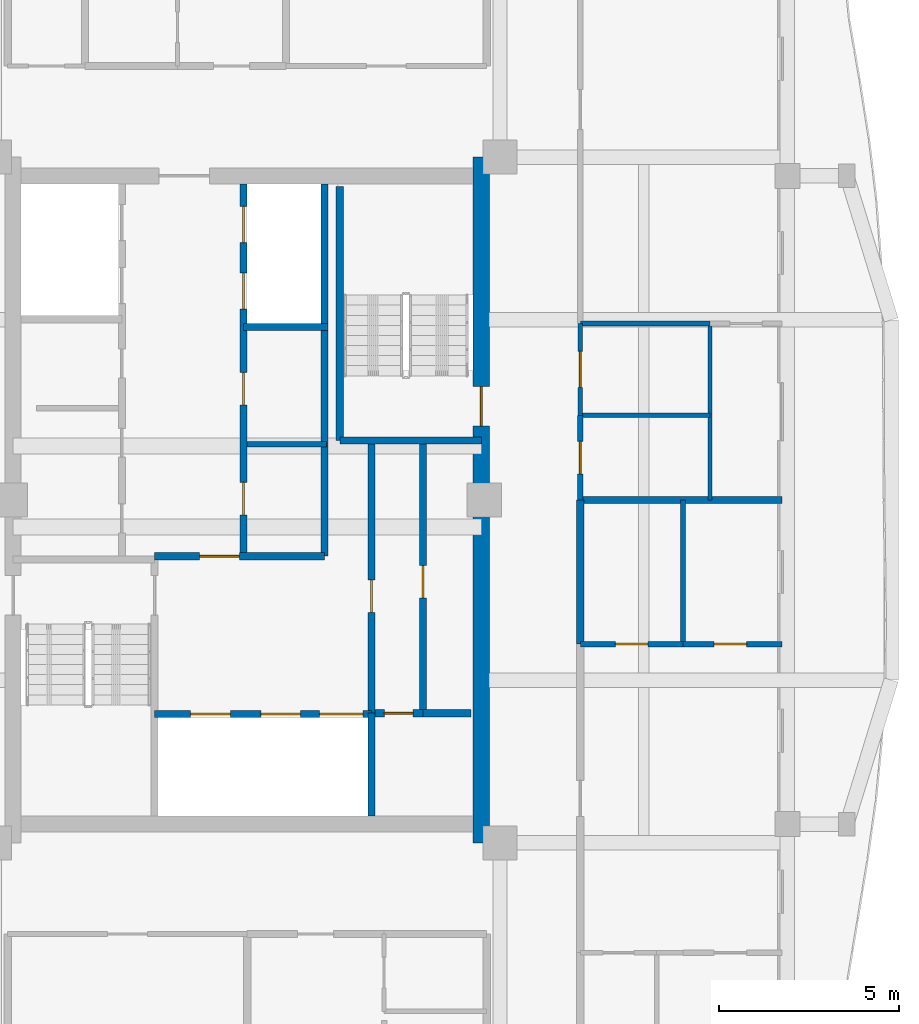
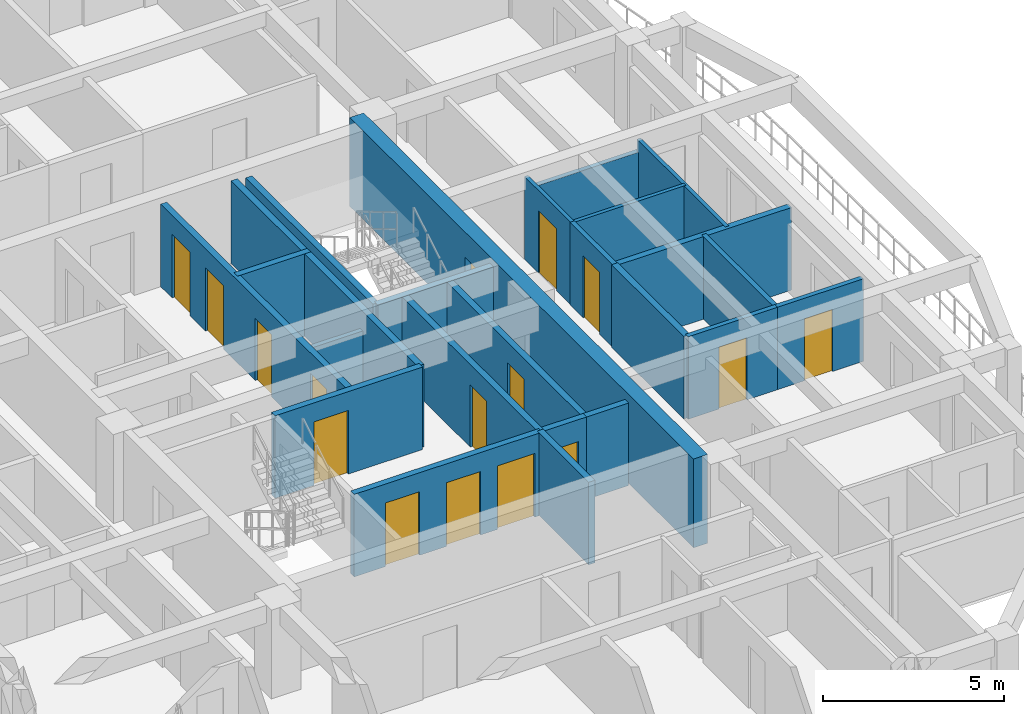
# One storey, part 4 of 12: 25 walls, 16 doors, 16 openings.
"""IFC4 building model written with IfcOpenShell, lengths in metres."""

from ifc_helpers import new_model, si_unit, direction, frame, frame_2d, origin, place, context, subcontext, project, spatial, rectangle, extrude, source, transform, mapped, material, layer, layer_set, type_object, element, fill, save


model = new_model("IFC4")

# Units and contexts
model_context = context("Model", 3, precision=1e-05, world=origin(), true_north=direction((0.0, 1.0)))
body_context = subcontext(model_context, "Body", "Model", "MODEL_VIEW")
ifc_project = project(units=[si_unit("LENGTHUNIT", "METRE"), si_unit("AREAUNIT", "SQUARE_METRE"), si_unit("VOLUMEUNIT", "CUBIC_METRE"), si_unit("PLANEANGLEUNIT", "RADIAN"), si_unit("MASSUNIT", "GRAM", prefix="KILO")], contexts=[model_context])

# Site, building, storey
site_placement = place(None, origin())
site = spatial("IfcSite", under=ifc_project, at=site_placement, CompositionType="ELEMENT")
building_placement = place(site_placement, origin())
building = spatial("IfcBuilding", under=site, at=building_placement, Name="Saelheon Loggia Tower", CompositionType="ELEMENT")
storey_placement = place(building_placement, frame((0.0, 0.0, 240.0)))
storey = spatial("IfcBuildingStorey", under=building, at=storey_placement, Name="L74", CompositionType="ELEMENT", Elevation=240.0)

# Wall, opening, door
ifc_material_1 = material(Name="Concrete C45/55", Category="concrete")
ifc_layer_1 = layer(ifc_material_1, 0.449951171875)
ifc_layer_set_1 = layer_set([ifc_layer_1], Name="Concrete C45/55")
wall_type_1 = type_object("IfcWallType", Name="Wall_CoreShear_450", PredefinedType="SHEAR", material=ifc_layer_set_1)
wall_1_placement = place(storey_placement, frame((44.5, 17.47998046875, 0.0), z_axis=(0.0, 0.0, 1.0), x_axis=(0.0, 1.0, 0.0)))
wall_1 = element("IfcWall", 1, at=wall_1_placement, inside=storey, type_object=wall_type_1, Name="L74 Core Shear Wall East", PredefinedType="SHEAR", context=body_context, shape_type="SweptSolid", body=[
    extrude(rectangle(XDim=19.0400390625, YDim=0.449951171875, at=frame_2d((9.52001953125, 0.0))), origin(), (0.0, 0.0, 1.0), 3.0),
])
opening_1_placement = place(wall_1_placement, frame((12.670166015625, 0.0, 0.0), z_axis=(0.0, 0.0, 1.0), x_axis=(-1.0, 0.0, 0.0)))
opening_1 = element("IfcOpeningElement", 2, at=opening_1_placement, cuts=wall_1, Name="Opening D-FD2", PredefinedType="OPENING", context=body_context, shape_type="SweptSolid", body=[
    extrude(rectangle(XDim=1.10009765625, YDim=2.14990234375, at=frame_2d((0.550048828125, 1.074951171875))), frame((0.0, 0.237060546875, 0.0), z_axis=(0.0, -1.0, 0.0), x_axis=(1.0, 0.0, 0.0)), (0.0, 0.0, 1.0), 0.473876953125),
])
ifc_material_2 = material(Name="Galvanised Steel Fire Door", Category="steel")
door_type_1 = type_object("IfcDoorType", Name="Door_Fire_FD60_1100", OperationType="NOTDEFINED", PredefinedType="DOOR", material=ifc_material_2)
shared_shape_1 = source(origin(), body_context, "Body", "SweptSolid", [
    extrude(rectangle(XDim=1.10009765625, YDim=2.14990234375, at=frame_2d((0.550048828125, 1.074951171875))), frame((0.0, 0.02490234375, 0.0), z_axis=(0.0, -1.0, 0.0), x_axis=(1.0, 0.0, 0.0)), (0.0, 0.0, 1.0), 0.050048828125),
])
door_1_placement = place(opening_1_placement, origin())
door_1 = element("IfcDoor", 3, at=door_1_placement, inside=storey, type_object=door_type_1, Name="L74 Stair ST2 Corridor Door", OperationType="SINGLE_SWING_RIGHT", OverallHeight=2.14990234375, OverallWidth=1.10009765625, PredefinedType="DOOR", context=body_context, shape_type="MappedRepresentation", body=[
    mapped(shared_shape_1, transform((0.0, 0.0, 0.0), scale=1.0)),
])
fill(opening_1, door_1)

# Walls
ifc_material_3 = material(Name="Lightweight Autoclaved Aerated Concrete Block and Acoustic Gypsum", Category="concrete")
ifc_layer_2 = layer(ifc_material_3, 0.14990234375)
ifc_layer_set_2 = layer_set([ifc_layer_2], Name="Lightweight Autoclaved Aerated Concrete Block and Acoustic Gypsum")
wall_type_2 = type_object("IfcWallType", Name="Wall_Part_150", PredefinedType="PARTITIONING", material=ifc_layer_set_2)
wall_2_placement = place(storey_placement, frame((38.0, 28.550048828125, 0.0), z_axis=(0.0, 0.0, 1.0), x_axis=(1.0, 0.0, 0.0)))
element("IfcWall", 4, at=wall_2_placement, inside=storey, type_object=wall_type_2, Name="L74 Freed Core Partition PM", PredefinedType="PARTITIONING", context=body_context, shape_type="SweptSolid", body=[
    extrude(rectangle(XDim=2.199951171875, YDim=0.14990234375, at=frame_2d((1.10009765625, 0.0))), origin(), (0.0, 0.0, 1.0), 2.139892578125),
])
wall_3_placement = place(storey_placement, frame((50.10009765625, 23.0, 0.0), z_axis=(0.0, 0.0, 1.0), x_axis=(0.0, 1.0, 0.0)))
element("IfcWall", 5, at=wall_3_placement, inside=storey, type_object=wall_type_2, Name="L74 E Partition V07", PredefinedType="PARTITIONING", context=body_context, shape_type="SweptSolid", body=[
    extrude(rectangle(XDim=4.0, YDim=0.14990234375, at=frame_2d((2.0, 0.0))), origin(), (0.0, 0.0, 1.0), 2.7900390625),
])

# Wall, opening, door
wall_4_placement = place(storey_placement, frame((47.25, 23.0, 0.0), z_axis=(0.0, 0.0, 1.0), x_axis=(1.0, 0.0, 0.0)))
wall_4 = element("IfcWall", 6, at=wall_4_placement, inside=storey, type_object=wall_type_2, Name="L74 E Partition U11", PredefinedType="PARTITIONING", context=body_context, shape_type="SweptSolid", body=[
    extrude(rectangle(XDim=2.85009765625, YDim=0.14990234375, at=frame_2d((1.425048828125, 0.0))), origin(), (0.0, 0.0, 1.0), 2.7900390625),
])
opening_2_placement = place(wall_4_placement, frame((0.97509765625, 0.0, 0.0)))
opening_2 = element("IfcOpeningElement", 7, at=opening_2_placement, cuts=wall_4, Name="Opening D-IN2", PredefinedType="OPENING", context=body_context, shape_type="SweptSolid", body=[
    extrude(rectangle(XDim=0.89990234375, YDim=2.10009765625, at=frame_2d((0.449951171875, 1.050048828125))), frame((0.0, 0.0869140625, 0.0), z_axis=(0.0, -1.0, 0.0), x_axis=(1.0, 0.0, 0.0)), (0.0, 0.0, 1.0), 0.173828125),
])
ifc_material_4 = material(Name="Engineered Oak Flush Door", Category="timber")
door_type_2 = type_object("IfcDoorType", Name="Door_Int_900", OperationType="NOTDEFINED", PredefinedType="DOOR", material=ifc_material_4)
shared_shape_2 = source(origin(), body_context, "Body", "SweptSolid", [
    extrude(rectangle(XDim=0.89990234375, YDim=2.10009765625, at=frame_2d((0.449951171875, 1.050048828125))), frame((0.0, 0.02490234375, 0.0), z_axis=(0.0, -1.0, 0.0), x_axis=(1.0, 0.0, 0.0)), (0.0, 0.0, 1.0), 0.050048828125),
])
door_2_placement = place(opening_2_placement, origin())
door_2 = element("IfcDoor", 8, at=door_2_placement, inside=storey, type_object=door_type_2, Name="Unit U05 Private Study Door", OperationType="SINGLE_SWING_LEFT", OverallHeight=2.10009765625, OverallWidth=0.89990234375, PredefinedType="DOOR", context=body_context, shape_type="MappedRepresentation", body=[
    mapped(shared_shape_2, transform((0.0, 0.0, 0.0), scale=1.0)),
])
fill(opening_2, door_2)

wall_5_placement = place(storey_placement, frame((50.10009765625, 23.0, 0.0), z_axis=(0.0, 0.0, 1.0), x_axis=(1.0, 0.0, 0.0)))
wall_5 = element("IfcWall", 9, at=wall_5_placement, inside=storey, type_object=wall_type_2, Name="L74 E Partition U12", PredefinedType="PARTITIONING", context=body_context, shape_type="SweptSolid", body=[
    extrude(rectangle(XDim=2.75, YDim=0.14990234375, at=frame_2d((1.375, 0.0))), origin(), (0.0, 0.0, 1.0), 2.7900390625),
])
opening_3_placement = place(wall_5_placement, frame((0.867919921875, 0.0, 0.0)))
opening_3 = element("IfcOpeningElement", 10, at=opening_3_placement, cuts=wall_5, Name="Opening D-IN2", PredefinedType="OPENING", context=body_context, shape_type="SweptSolid", body=[
    extrude(rectangle(XDim=0.89990234375, YDim=2.10009765625, at=frame_2d((0.449951171875, 1.050048828125))), frame((0.0, 0.0869140625, 0.0), z_axis=(0.0, -1.0, 0.0), x_axis=(1.0, 0.0, 0.0)), (0.0, 0.0, 1.0), 0.173828125),
])
door_3_placement = place(opening_3_placement, origin())
door_3 = element("IfcDoor", 11, at=door_3_placement, inside=storey, type_object=door_type_2, Name="Unit U05 Bedroom 1 Door", OperationType="SINGLE_SWING_RIGHT", OverallHeight=2.10009765625, OverallWidth=0.89990234375, PredefinedType="DOOR", context=body_context, shape_type="MappedRepresentation", body=[
    mapped(shared_shape_2, transform((0.0, 0.0, 0.0), scale=1.0)),
])
fill(opening_3, door_3)

# Wall
wall_6_placement = place(storey_placement, frame((47.25, 31.89990234375, 0.0), z_axis=(0.0, 0.0, 1.0), x_axis=(1.0, 0.0, 0.0)))
element("IfcWall", 12, at=wall_6_placement, inside=storey, type_object=wall_type_2, Name="L74 E Partition U15", PredefinedType="PARTITIONING", context=body_context, shape_type="SweptSolid", body=[
    extrude(rectangle(XDim=3.60009765625, YDim=0.14990234375, at=frame_2d((1.800048828125, 0.0))), origin(), (0.0, 0.0, 1.0), 2.389892578125),
])

# Wall, opening, door
wall_7_placement = place(storey_placement, frame((47.25, 27.0, 0.0), z_axis=(0.0, 0.0, 1.0), x_axis=(0.0, 1.0, 0.0)))
wall_7 = element("IfcWall", 13, at=wall_7_placement, inside=storey, type_object=wall_type_2, Name="L74 E Partition V18", PredefinedType="PARTITIONING", context=body_context, shape_type="SweptSolid", body=[
    extrude(rectangle(XDim=2.35009765625, YDim=0.14990234375, at=frame_2d((1.175048828125, 0.0))), origin(), (0.0, 0.0, 1.0), 2.7900390625),
])
opening_4_placement = place(wall_7_placement, frame((0.72509765625, 0.0, 0.0)))
opening_4 = element("IfcOpeningElement", 14, at=opening_4_placement, cuts=wall_7, Name="Opening D-IN2", PredefinedType="OPENING", context=body_context, shape_type="SweptSolid", body=[
    extrude(rectangle(XDim=0.89990234375, YDim=2.10009765625, at=frame_2d((0.449951171875, 1.050048828125))), frame((0.0, 0.0869140625, 0.0), z_axis=(0.0, -1.0, 0.0), x_axis=(1.0, 0.0, 0.0)), (0.0, 0.0, 1.0), 0.173828125),
])
door_4_placement = place(opening_4_placement, origin())
door_4 = element("IfcDoor", 15, at=door_4_placement, inside=storey, type_object=door_type_2, Name="L74 Community Pantry Door", OperationType="SINGLE_SWING_RIGHT", OverallHeight=2.10009765625, OverallWidth=0.89990234375, PredefinedType="DOOR", context=body_context, shape_type="MappedRepresentation", body=[
    mapped(shared_shape_2, transform((0.0, 0.0, 0.0), scale=1.0)),
])
fill(opening_4, door_4)

# Walls
ifc_material_5 = material(Name="Double Acoustic Stud and Fireboard Partition", Category="gypsum")
ifc_layer_3 = layer(ifc_material_5, 0.199951171875)
ifc_layer_set_3 = layer_set([ifc_layer_3], Name="Double Acoustic Stud and Fireboard Partition")
wall_type_3 = type_object("IfcWallType", Name="Wall_Party_200", PredefinedType="PARTITIONING", material=ifc_layer_set_3)
wall_8_placement = place(storey_placement, frame((47.25, 23.0, 0.0), z_axis=(0.0, 0.0, 1.0), x_axis=(0.0, 1.0, 0.0)))
element("IfcWall", 16, at=wall_8_placement, inside=storey, type_object=wall_type_3, Name="L74 E Partition V05", PredefinedType="PARTITIONING", context=body_context, shape_type="SweptSolid", body=[
    extrude(rectangle(XDim=4.0, YDim=0.199951171875, at=frame_2d((2.0, 0.0))), origin(), (0.0, 0.0, 1.0), 2.7900390625),
])
wall_9_placement = place(storey_placement, frame((47.25, 27.0, 0.0), z_axis=(0.0, 0.0, 1.0), x_axis=(1.0, 0.0, 0.0)))
element("IfcWall", 17, at=wall_9_placement, inside=storey, type_object=wall_type_3, Name="L74 E Partition U13", PredefinedType="PARTITIONING", context=body_context, shape_type="SweptSolid", body=[
    extrude(rectangle(XDim=5.60009765625, YDim=0.199951171875, at=frame_2d((2.800048828125, 0.0))), origin(), (0.0, 0.0, 1.0), 2.7900390625),
])

# Wall, opening, door
ifc_material_6 = material(Name="Concrete C40/50", Category="concrete")
ifc_layer_4 = layer(ifc_material_6, 0.199951171875)
ifc_layer_set_4 = layer_set([ifc_layer_4], Name="Concrete C40/50")
wall_type_4 = type_object("IfcWallType", Name="Wall_Shaft_200", PredefinedType="PARTITIONING", material=ifc_layer_set_4)
wall_10_placement = place(storey_placement, frame((41.550048828125, 21.080078125, 0.0), z_axis=(0.0, 0.0, 1.0), x_axis=(1.0, 0.0, 0.0)))
wall_10 = element("IfcWall", 18, at=wall_10_placement, inside=storey, type_object=wall_type_4, Name="CW-BOH-L74-HS", PredefinedType="PARTITIONING", context=body_context, shape_type="SweptSolid", body=[
    extrude(rectangle(XDim=1.329833984375, YDim=0.199951171875, at=frame_2d((0.6650390625, 0.0))), origin(), (0.0, 0.0, 1.0), 2.7900390625),
])
opening_5_placement = place(wall_10_placement, frame((0.260009765625, 0.0, 0.0)))
opening_5 = element("IfcOpeningElement", 19, at=opening_5_placement, cuts=wall_10, Name="Opening D-ST1", PredefinedType="OPENING", context=body_context, shape_type="SweptSolid", body=[
    extrude(rectangle(XDim=0.800048828125, YDim=2.050048828125, at=frame_2d((0.39990234375, 1.02490234375))), frame((0.0, 0.112060546875, 0.0), z_axis=(0.0, -1.0, 0.0), x_axis=(1.0, 0.0, 0.0)), (0.0, 0.0, 1.0), 0.223876953125),
])
ifc_material_7 = material(Name="Powder-Coated Steel Store Door", Category="steel")
door_type_3 = type_object("IfcDoorType", Name="Door_Store_800", OperationType="NOTDEFINED", PredefinedType="DOOR", material=ifc_material_7)
shared_shape_3 = source(origin(), body_context, "Body", "SweptSolid", [
    extrude(rectangle(XDim=0.800048828125, YDim=2.050048828125, at=frame_2d((0.39990234375, 1.02490234375))), frame((0.0, 0.02490234375, 0.0), z_axis=(0.0, -1.0, 0.0), x_axis=(1.0, 0.0, 0.0)), (0.0, 0.0, 1.0), 0.050048828125),
])
door_5_placement = place(opening_5_placement, origin())
door_5 = element("IfcDoor", 20, at=door_5_placement, inside=storey, type_object=door_type_3, Name="L74 Electrical Riser Door", OperationType="SINGLE_SWING_LEFT", OverallHeight=2.050048828125, OverallWidth=0.800048828125, PredefinedType="DOOR", context=body_context, shape_type="MappedRepresentation", body=[
    mapped(shared_shape_3, transform((0.0, 0.0, 0.0), scale=1.0)),
])
fill(opening_5, door_5)

# Wall
wall_11_placement = place(storey_placement, frame((42.8798828125, 21.080078125, 0.0), z_axis=(0.0, 0.0, 1.0), x_axis=(1.0, 0.0, 0.0)))
element("IfcWall", 21, at=wall_11_placement, inside=storey, type_object=wall_type_4, Name="CW-BOH-L74-HS2", PredefinedType="PARTITIONING", context=body_context, shape_type="SweptSolid", body=[
    extrude(rectangle(XDim=1.340087890625, YDim=0.199951171875, at=frame_2d((0.669921875, 0.0))), origin(), (0.0, 0.0, 1.0), 2.7900390625),
])

# Wall, opening, door
wall_12_placement = place(storey_placement, frame((42.8798828125, 21.080078125, 0.0), z_axis=(0.0, 0.0, 1.0), x_axis=(0.0, 1.0, 0.0)))
wall_12 = element("IfcWall", 22, at=wall_12_placement, inside=storey, type_object=wall_type_4, Name="CW-BOH-L74-VS", PredefinedType="PARTITIONING", context=body_context, shape_type="SweptSolid", body=[
    extrude(rectangle(XDim=7.469970703125, YDim=0.199951171875, at=frame_2d((3.73486328125, 0.0))), origin(), (0.0, 0.0, 1.0), 2.7900390625),
])
opening_6_placement = place(wall_12_placement, frame((3.199951171875, 0.0, 0.0)))
opening_6 = element("IfcOpeningElement", 23, at=opening_6_placement, cuts=wall_12, Name="Opening D-RS1", PredefinedType="OPENING", context=body_context, shape_type="SweptSolid", body=[
    extrude(rectangle(XDim=0.89990234375, YDim=2.10009765625, at=frame_2d((0.449951171875, 1.050048828125))), frame((0.0, 0.112060546875, 0.0), z_axis=(0.0, -1.0, 0.0), x_axis=(1.0, 0.0, 0.0)), (0.0, 0.0, 1.0), 0.223876953125),
])
ifc_material_8 = material(Name="Galvanised Steel Riser Access Door", Category="steel")
door_type_4 = type_object("IfcDoorType", Name="Door_Riser_FD60", OperationType="NOTDEFINED", PredefinedType="DOOR", material=ifc_material_8)
door_6_placement = place(opening_6_placement, origin())
door_6 = element("IfcDoor", 24, at=door_6_placement, inside=storey, type_object=door_type_4, Name="L74 Linen Store Door", OperationType="SINGLE_SWING_RIGHT", OverallHeight=2.10009765625, OverallWidth=0.89990234375, PredefinedType="DOOR", context=body_context, shape_type="MappedRepresentation", body=[
    mapped(shared_shape_2, transform((0.0, 0.0, 0.0), scale=1.0)),
])
fill(opening_6, door_6)

# Wall
wall_13_placement = place(storey_placement, frame((41.449951171875, 18.219970703125, 0.0), z_axis=(0.0, 0.0, 1.0), x_axis=(0.0, 1.0, 0.0)))
element("IfcWall", 25, at=wall_13_placement, inside=storey, type_object=wall_type_4, Name="CW-INT-L74-BOH-W0", PredefinedType="PARTITIONING", context=body_context, shape_type="SweptSolid", body=[
    extrude(rectangle(XDim=2.860107421875, YDim=0.199951171875, at=frame_2d((1.43017578125, 0.0))), origin(), (0.0, 0.0, 1.0), 2.7900390625),
])

# Wall, opening, door
wall_14_placement = place(storey_placement, frame((41.449951171875, 21.080078125, 0.0), z_axis=(0.0, 0.0, 1.0), x_axis=(0.0, 1.0, 0.0)))
wall_14 = element("IfcWall", 26, at=wall_14_placement, inside=storey, type_object=wall_type_4, Name="CW-INT-L74-BOH-W1", PredefinedType="PARTITIONING", context=body_context, shape_type="SweptSolid", body=[
    extrude(rectangle(XDim=7.52001953125, YDim=0.199951171875, at=frame_2d((3.760009765625, 0.0))), origin(), (0.0, 0.0, 1.0), 2.7900390625),
])
opening_7_placement = place(wall_14_placement, frame((2.800048828125, 0.0, 0.0)))
opening_7 = element("IfcOpeningElement", 27, at=opening_7_placement, cuts=wall_14, Name="Opening D-RS1", PredefinedType="OPENING", context=body_context, shape_type="SweptSolid", body=[
    extrude(rectangle(XDim=0.89990234375, YDim=2.10009765625, at=frame_2d((0.449951171875, 1.050048828125))), frame((0.0, 0.112060546875, 0.0), z_axis=(0.0, -1.0, 0.0), x_axis=(1.0, 0.0, 0.0)), (0.0, 0.0, 1.0), 0.223876953125),
])
door_7_placement = place(opening_7_placement, origin())
door_7 = element("IfcDoor", 28, at=door_7_placement, inside=storey, type_object=door_type_4, Name="L74 Service Store Door", OperationType="SINGLE_SWING_LEFT", OverallHeight=2.10009765625, OverallWidth=0.89990234375, PredefinedType="DOOR", context=body_context, shape_type="MappedRepresentation", body=[
    mapped(shared_shape_2, transform((0.0, 0.0, 0.0), scale=1.0)),
])
fill(opening_7, door_7)

# Walls
wall_15_placement = place(storey_placement, frame((40.14990234375, 25.43994140625, 0.0), z_axis=(0.0, 0.0, 1.0), x_axis=(0.0, 1.0, 0.0)))
element("IfcWall", 29, at=wall_15_placement, inside=storey, type_object=wall_type_4, Name="L74 Core Service Passage West Wall", PredefinedType="PARTITIONING", context=body_context, shape_type="SweptSolid", body=[
    extrude(rectangle(XDim=6.360107421875, YDim=0.199951171875, at=frame_2d((3.18017578125, 0.0))), origin(), (0.0, 0.0, 1.0), 2.7900390625),
])
wall_16_placement = place(storey_placement, frame((40.14990234375, 31.800048828125, 0.0), z_axis=(0.0, 0.0, 1.0), x_axis=(0.0, 1.0, 0.0)))
element("IfcWall", 30, at=wall_16_placement, inside=storey, type_object=wall_type_4, Name="L74 East High-Rise Hoistway East Wall", PredefinedType="PARTITIONING", context=body_context, shape_type="SweptSolid", body=[
    extrude(rectangle(XDim=3.97998046875, YDim=0.199951171875, at=frame_2d((1.989990234375, 0.0))), origin(), (0.0, 0.0, 1.0), 2.7900390625),
])

# Wall, openings, doors
wall_17_placement = place(storey_placement, frame((35.429931640625, 21.06005859375, 0.0), z_axis=(0.0, 0.0, 1.0), x_axis=(1.0, 0.0, 0.0)))
wall_17 = element("IfcWall", 31, at=wall_17_placement, inside=storey, type_object=wall_type_4, Name="L74 Firefighting Lift Shaft Front Wall", PredefinedType="PARTITIONING", context=body_context, shape_type="SweptSolid", body=[
    extrude(rectangle(XDim=6.02001953125, YDim=0.199951171875, at=frame_2d((3.010009765625, 0.0))), origin(), (0.0, 0.0, 1.0), 2.7900390625),
])
opening_8_placement = place(wall_17_placement, frame((1.0, 0.0, 0.0)))
opening_8 = element("IfcOpeningElement", 32, at=opening_8_placement, cuts=wall_17, Name="Opening LD2", PredefinedType="OPENING", context=body_context, shape_type="SweptSolid", body=[
    extrude(rectangle(XDim=1.10009765625, YDim=2.14990234375, at=frame_2d((0.550048828125, 1.074951171875))), frame((0.0, 0.112060546875, 0.0), z_axis=(0.0, -1.0, 0.0), x_axis=(1.0, 0.0, 0.0)), (0.0, 0.0, 1.0), 0.223876953125),
])
opening_9_placement = place(wall_17_placement, frame((2.949951171875, 0.0, 0.0)))
opening_9 = element("IfcOpeningElement", 33, at=opening_9_placement, cuts=wall_17, Name="Opening LD2", PredefinedType="OPENING", context=body_context, shape_type="SweptSolid", body=[
    extrude(rectangle(XDim=1.10009765625, YDim=2.14990234375, at=frame_2d((0.550048828125, 1.074951171875))), frame((0.0, 0.112060546875, 0.0), z_axis=(0.0, -1.0, 0.0), x_axis=(1.0, 0.0, 0.0)), (0.0, 0.0, 1.0), 0.223876953125),
])
opening_10_placement = place(wall_17_placement, frame((4.580078125, 0.0, 0.0)))
opening_10 = element("IfcOpeningElement", 34, at=opening_10_placement, cuts=wall_17, Name="Opening LD3", PredefinedType="OPENING", context=body_context, shape_type="SweptSolid", body=[
    extrude(rectangle(XDim=1.199951171875, YDim=2.14990234375, at=frame_2d((0.60009765625, 1.074951171875))), frame((0.0, 0.112060546875, 0.0), z_axis=(0.0, -1.0, 0.0), x_axis=(1.0, 0.0, 0.0)), (0.0, 0.0, 1.0), 0.223876953125),
])
ifc_material_9 = material(Name="Firefighting Stainless Steel 316 Landing Door", Category="steel")
door_type_5 = type_object("IfcDoorType", Name="Door_Lift_LD2", OperationType="DOUBLE_DOOR_SLIDING", PredefinedType="DOOR", material=ifc_material_9)
door_8_placement = place(opening_8_placement, origin())
door_8 = element("IfcDoor", 35, at=door_8_placement, inside=storey, type_object=door_type_5, Name="L74 FF1 Landing Door", OperationType="DOUBLE_DOOR_SLIDING", OverallHeight=2.14990234375, OverallWidth=1.10009765625, PredefinedType="DOOR", context=body_context, shape_type="MappedRepresentation", body=[
    mapped(shared_shape_1, transform((0.0, 0.0, 0.0), scale=1.0)),
])
fill(opening_8, door_8)
door_9_placement = place(opening_9_placement, origin())
door_9 = element("IfcDoor", 36, at=door_9_placement, inside=storey, type_object=door_type_5, Name="L74 FF2 Landing Door", OperationType="DOUBLE_DOOR_SLIDING", OverallHeight=2.14990234375, OverallWidth=1.10009765625, PredefinedType="DOOR", context=body_context, shape_type="MappedRepresentation", body=[
    mapped(shared_shape_1, transform((0.0, 0.0, 0.0), scale=1.0)),
])
fill(opening_9, door_9)
ifc_material_10 = material(Name="Stretcher Lift Stainless Steel 304 Landing Door", Category="steel")
door_type_6 = type_object("IfcDoorType", Name="Door_Lift_LD3", OperationType="DOUBLE_DOOR_SLIDING", PredefinedType="DOOR", material=ifc_material_10)
shared_shape_4 = source(origin(), body_context, "Body", "SweptSolid", [
    extrude(rectangle(XDim=1.199951171875, YDim=2.14990234375, at=frame_2d((0.60009765625, 1.074951171875))), frame((0.0, 0.02490234375, 0.0), z_axis=(0.0, -1.0, 0.0), x_axis=(1.0, 0.0, 0.0)), (0.0, 0.0, 1.0), 0.050048828125),
])
door_10_placement = place(opening_10_placement, origin())
door_10 = element("IfcDoor", 37, at=door_10_placement, inside=storey, type_object=door_type_6, Name="L74 SV1 Landing Door", OperationType="DOUBLE_DOOR_SLIDING", OverallHeight=2.14990234375, OverallWidth=1.199951171875, PredefinedType="DOOR", context=body_context, shape_type="MappedRepresentation", body=[
    mapped(shared_shape_4, transform((0.0, 0.0, 0.0), scale=1.0)),
])
fill(opening_10, door_10)

# Wall, opening, door
wall_18_placement = place(storey_placement, frame((35.429931640625, 25.43994140625, 0.0), z_axis=(0.0, 0.0, 1.0), x_axis=(1.0, 0.0, 0.0)))
wall_18 = element("IfcWall", 38, at=wall_18_placement, inside=storey, type_object=wall_type_4, Name="L74 Firefighting Lobby Compartment Wall", PredefinedType="PARTITIONING", context=body_context, shape_type="SweptSolid", body=[
    extrude(rectangle(XDim=4.719970703125, YDim=0.199951171875, at=frame_2d((2.35986328125, 0.0))), origin(), (0.0, 0.0, 1.0), 2.7900390625),
])
opening_11_placement = place(wall_18_placement, frame((1.25, 0.0, 0.0)))
opening_11 = element("IfcOpeningElement", 39, at=opening_11_placement, cuts=wall_18, Name="Opening D-FD2", PredefinedType="OPENING", context=body_context, shape_type="SweptSolid", body=[
    extrude(rectangle(XDim=1.10009765625, YDim=2.14990234375, at=frame_2d((0.550048828125, 1.074951171875))), frame((0.0, 0.112060546875, 0.0), z_axis=(0.0, -1.0, 0.0), x_axis=(1.0, 0.0, 0.0)), (0.0, 0.0, 1.0), 0.223876953125),
])
door_11_placement = place(opening_11_placement, origin())
door_11 = element("IfcDoor", 40, at=door_11_placement, inside=storey, type_object=door_type_1, Name="L74 Firefighting Lobby Door", OperationType="SINGLE_SWING_RIGHT", OverallHeight=2.14990234375, OverallWidth=1.10009765625, PredefinedType="DOOR", context=body_context, shape_type="MappedRepresentation", body=[
    mapped(shared_shape_1, transform((0.0, 0.0, 0.0), scale=1.0)),
])
fill(opening_11, door_11)

# Wall, openings, doors
wall_19_placement = place(storey_placement, frame((37.89990234375, 25.43994140625, 0.0), z_axis=(0.0, 0.0, 1.0), x_axis=(0.0, 1.0, 0.0)))
wall_19 = element("IfcWall", 41, at=wall_19_placement, inside=storey, type_object=wall_type_4, Name="L74 East Passenger Lift Bank Wall", PredefinedType="PARTITIONING", context=body_context, shape_type="SweptSolid", body=[
    extrude(rectangle(XDim=10.340087890625, YDim=0.199951171875, at=frame_2d((5.169921875, 0.0))), origin(), (0.0, 0.0, 1.0), 2.7900390625),
])
opening_12_placement = place(wall_19_placement, frame((1.14990234375, 0.0, 0.0)))
opening_12 = element("IfcOpeningElement", 42, at=opening_12_placement, cuts=wall_19, Name="Opening D-RS1", PredefinedType="OPENING", context=body_context, shape_type="SweptSolid", body=[
    extrude(rectangle(XDim=0.89990234375, YDim=2.10009765625, at=frame_2d((0.449951171875, 1.050048828125))), frame((0.0, 0.112060546875, 0.0), z_axis=(0.0, -1.0, 0.0), x_axis=(1.0, 0.0, 0.0)), (0.0, 0.0, 1.0), 0.223876953125),
])
opening_13_placement = place(wall_19_placement, frame((4.199951171875, 0.0, 0.0)))
opening_13 = element("IfcOpeningElement", 43, at=opening_13_placement, cuts=wall_19, Name="Opening D-RS1", PredefinedType="OPENING", context=body_context, shape_type="SweptSolid", body=[
    extrude(rectangle(XDim=0.89990234375, YDim=2.10009765625, at=frame_2d((0.449951171875, 1.050048828125))), frame((0.0, 0.112060546875, 0.0), z_axis=(0.0, -1.0, 0.0), x_axis=(1.0, 0.0, 0.0)), (0.0, 0.0, 1.0), 0.223876953125),
])
opening_14_placement = place(wall_19_placement, frame((6.860107421875, 0.0, 0.0)))
opening_14 = element("IfcOpeningElement", 44, at=opening_14_placement, cuts=wall_19, Name="Opening LD1", PredefinedType="OPENING", context=body_context, shape_type="SweptSolid", body=[
    extrude(rectangle(XDim=1.0, YDim=2.14990234375, at=frame_2d((0.5, 1.074951171875))), frame((0.0, 0.112060546875, 0.0), z_axis=(0.0, -1.0, 0.0), x_axis=(1.0, 0.0, 0.0)), (0.0, 0.0, 1.0), 0.223876953125),
])
opening_15_placement = place(wall_19_placement, frame((8.7099609375, 0.0, 0.0)))
opening_15 = element("IfcOpeningElement", 45, at=opening_15_placement, cuts=wall_19, Name="Opening LD1", PredefinedType="OPENING", context=body_context, shape_type="SweptSolid", body=[
    extrude(rectangle(XDim=1.0, YDim=2.14990234375, at=frame_2d((0.5, 1.074951171875))), frame((0.0, 0.112060546875, 0.0), z_axis=(0.0, -1.0, 0.0), x_axis=(1.0, 0.0, 0.0)), (0.0, 0.0, 1.0), 0.223876953125),
])
door_12_placement = place(opening_12_placement, origin())
door_12 = element("IfcDoor", 46, at=door_12_placement, inside=storey, type_object=door_type_4, Name="L74 Upper Housekeeping Door", OperationType="SINGLE_SWING_LEFT", OverallHeight=2.10009765625, OverallWidth=0.89990234375, PredefinedType="DOOR", context=body_context, shape_type="MappedRepresentation", body=[
    mapped(shared_shape_2, transform((0.0, 0.0, 0.0), scale=1.0)),
])
fill(opening_12, door_12)
door_13_placement = place(opening_13_placement, origin())
door_13 = element("IfcDoor", 47, at=door_13_placement, inside=storey, type_object=door_type_4, Name="L74 Upper Pantry Door", OperationType="SINGLE_SWING_RIGHT", OverallHeight=2.10009765625, OverallWidth=0.89990234375, PredefinedType="DOOR", context=body_context, shape_type="MappedRepresentation", body=[
    mapped(shared_shape_2, transform((0.0, 0.0, 0.0), scale=1.0)),
])
fill(opening_13, door_13)
ifc_material_11 = material(Name="Brushed Stainless Steel 304 Landing Door", Category="steel")
door_type_7 = type_object("IfcDoorType", Name="Door_Lift_LD1", OperationType="DOUBLE_DOOR_SLIDING", PredefinedType="DOOR", material=ifc_material_11)
shared_shape_5 = source(origin(), body_context, "Body", "SweptSolid", [
    extrude(rectangle(XDim=1.0, YDim=2.14990234375, at=frame_2d((0.5, 1.074951171875))), frame((0.0, 0.02490234375, 0.0), z_axis=(0.0, -1.0, 0.0), x_axis=(1.0, 0.0, 0.0)), (0.0, 0.0, 1.0), 0.050048828125),
])
door_14_placement = place(opening_14_placement, origin())
door_14 = element("IfcDoor", 48, at=door_14_placement, inside=storey, type_object=door_type_7, Name="L74 PH3 Landing Door", OperationType="DOUBLE_DOOR_SLIDING", OverallHeight=2.14990234375, OverallWidth=1.0, PredefinedType="DOOR", context=body_context, shape_type="MappedRepresentation", body=[
    mapped(shared_shape_5, transform((0.0, 0.0, 0.0), scale=1.0)),
])
fill(opening_14, door_14)
door_15_placement = place(opening_15_placement, origin())
door_15 = element("IfcDoor", 49, at=door_15_placement, inside=storey, type_object=door_type_7, Name="L74 PH4 Landing Door", OperationType="DOUBLE_DOOR_SLIDING", OverallHeight=2.14990234375, OverallWidth=1.0, PredefinedType="DOOR", context=body_context, shape_type="MappedRepresentation", body=[
    mapped(shared_shape_5, transform((0.0, 0.0, 0.0), scale=1.0)),
])
fill(opening_15, door_15)

# Walls
wall_20_placement = place(storey_placement, frame((37.89990234375, 31.800048828125, 0.0), z_axis=(0.0, 0.0, 1.0), x_axis=(1.0, 0.0, 0.0)))
element("IfcWall", 50, at=wall_20_placement, inside=storey, type_object=wall_type_4, Name="L74 East High-Rise Shaft Divider", PredefinedType="PARTITIONING", context=body_context, shape_type="SweptSolid", body=[
    extrude(rectangle(XDim=2.35009765625, YDim=0.199951171875, at=frame_2d((1.175048828125, 0.0))), origin(), (0.0, 0.0, 1.0), 2.7900390625),
])
ifc_layer_5 = layer(ifc_material_1, 0.199951171875)
ifc_layer_set_5 = layer_set([ifc_layer_5], Name="Concrete C45/55")
wall_type_5 = type_object("IfcWallType", Name="Wall_StairShaft_RC200", PredefinedType="SOLIDWALL", material=ifc_layer_set_5)
wall_21_placement = place(storey_placement, frame((40.570068359375, 28.64990234375, 0.0), z_axis=(0.0, 0.0, 1.0), x_axis=(0.0, 1.0, 0.0)))
element("IfcWall", 51, at=wall_21_placement, inside=storey, type_object=wall_type_5, Name="L74 Stair ST2 Shaft Wall", PredefinedType="SOLIDWALL", context=body_context, shape_type="SweptSolid", body=[
    extrude(rectangle(XDim=7.050048828125, YDim=0.199951171875, at=frame_2d((3.52490234375, 0.0))), origin(), (0.0, 0.0, 1.0), 2.7900390625),
])
wall_22_placement = place(storey_placement, frame((40.570068359375, 28.64990234375, 0.0), z_axis=(0.0, 0.0, 1.0), x_axis=(1.0, 0.0, 0.0)))
element("IfcWall", 52, at=wall_22_placement, inside=storey, type_object=wall_type_5, Name="L74 Stair ST2 South Wall", PredefinedType="SOLIDWALL", context=body_context, shape_type="SweptSolid", body=[
    extrude(rectangle(XDim=3.929931640625, YDim=0.199951171875, at=frame_2d((1.96484375, 0.0))), origin(), (0.0, 0.0, 1.0), 2.7900390625),
])
ifc_material_12 = material(Name="Moisture-Resistant Cement Board Partition", Category="gypsum")
ifc_layer_6 = layer(ifc_material_12, 0.1201171875)
ifc_layer_set_6 = layer_set([ifc_layer_6], Name="Moisture-Resistant Cement Board Partition")
wall_type_6 = type_object("IfcWallType", Name="Wall_WetPart_120", PredefinedType="PARTITIONING", material=ifc_layer_set_6)
wall_23_placement = place(storey_placement, frame((47.25, 29.35009765625, 0.0), z_axis=(0.0, 0.0, 1.0), x_axis=(1.0, 0.0, 0.0)))
element("IfcWall", 53, at=wall_23_placement, inside=storey, type_object=wall_type_6, Name="L74 E Partition U14", PredefinedType="PARTITIONING", context=body_context, shape_type="SweptSolid", body=[
    extrude(rectangle(XDim=3.60009765625, YDim=0.1201171875, at=frame_2d((1.800048828125, 0.0))), origin(), (0.0, 0.0, 1.0), 2.7900390625),
])
wall_24_placement = place(storey_placement, frame((50.85009765625, 27.0, 0.0), z_axis=(0.0, 0.0, 1.0), x_axis=(0.0, 1.0, 0.0)))
element("IfcWall", 54, at=wall_24_placement, inside=storey, type_object=wall_type_6, Name="L74 E Partition V17", PredefinedType="PARTITIONING", context=body_context, shape_type="SweptSolid", body=[
    extrude(rectangle(XDim=4.89990234375, YDim=0.1201171875, at=frame_2d((2.449951171875, 0.0))), origin(), (0.0, 0.0, 1.0), 2.7900390625),
])

# Wall, opening, door
wall_25_placement = place(storey_placement, frame((47.25, 29.35009765625, 0.0), z_axis=(0.0, 0.0, 1.0), x_axis=(0.0, 1.0, 0.0)))
wall_25 = element("IfcWall", 55, at=wall_25_placement, inside=storey, type_object=wall_type_6, Name="L74 E Partition V19", PredefinedType="PARTITIONING", context=body_context, shape_type="SweptSolid", body=[
    extrude(rectangle(XDim=2.5498046875, YDim=0.1201171875, at=frame_2d((1.27490234375, 0.0))), origin(), (0.0, 0.0, 1.0), 2.7900390625),
])
opening_16_placement = place(wall_25_placement, frame((0.77490234375, 0.0, 0.0)))
opening_16 = element("IfcOpeningElement", 56, at=opening_16_placement, cuts=wall_25, Name="Opening D-AC1", PredefinedType="OPENING", context=body_context, shape_type="SweptSolid", body=[
    extrude(rectangle(XDim=1.0, YDim=2.10009765625, at=frame_2d((0.5, 1.050048828125))), frame((0.0, 0.072021484375, 0.0), z_axis=(0.0, -1.0, 0.0), x_axis=(1.0, 0.0, 0.0)), (0.0, 0.0, 1.0), 0.14404296875),
])
ifc_material_13 = material(Name="Accessible Laminate Flush Door", Category="timber")
door_type_8 = type_object("IfcDoorType", Name="Door_Acc_1000", OperationType="NOTDEFINED", PredefinedType="DOOR", material=ifc_material_13)
shared_shape_6 = source(origin(), body_context, "Body", "SweptSolid", [
    extrude(rectangle(XDim=1.0, YDim=2.10009765625, at=frame_2d((0.5, 1.050048828125))), frame((0.0, 0.02490234375, 0.0), z_axis=(0.0, -1.0, 0.0), x_axis=(1.0, 0.0, 0.0)), (0.0, 0.0, 1.0), 0.050048828125),
])
door_16_placement = place(opening_16_placement, origin())
door_16 = element("IfcDoor", 57, at=door_16_placement, inside=storey, type_object=door_type_8, Name="L74 Common Washroom Door", OperationType="SINGLE_SWING_LEFT", OverallHeight=2.10009765625, OverallWidth=1.0, PredefinedType="DOOR", context=body_context, shape_type="MappedRepresentation", body=[
    mapped(shared_shape_6, transform((0.0, 0.0, 0.0), scale=1.0)),
])
fill(opening_16, door_16)

save(model, "model.ifc")
